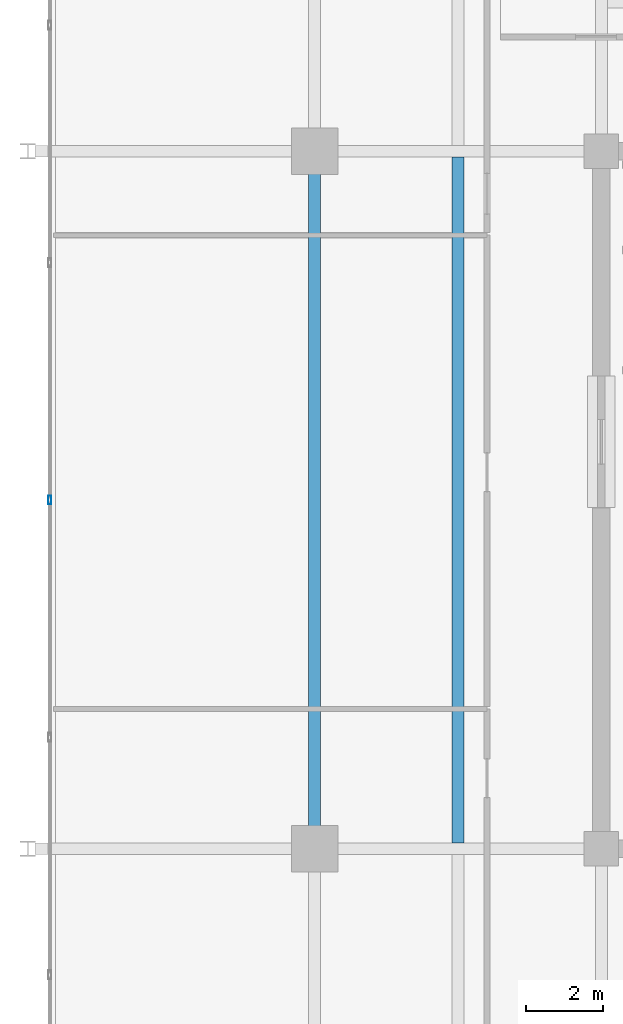
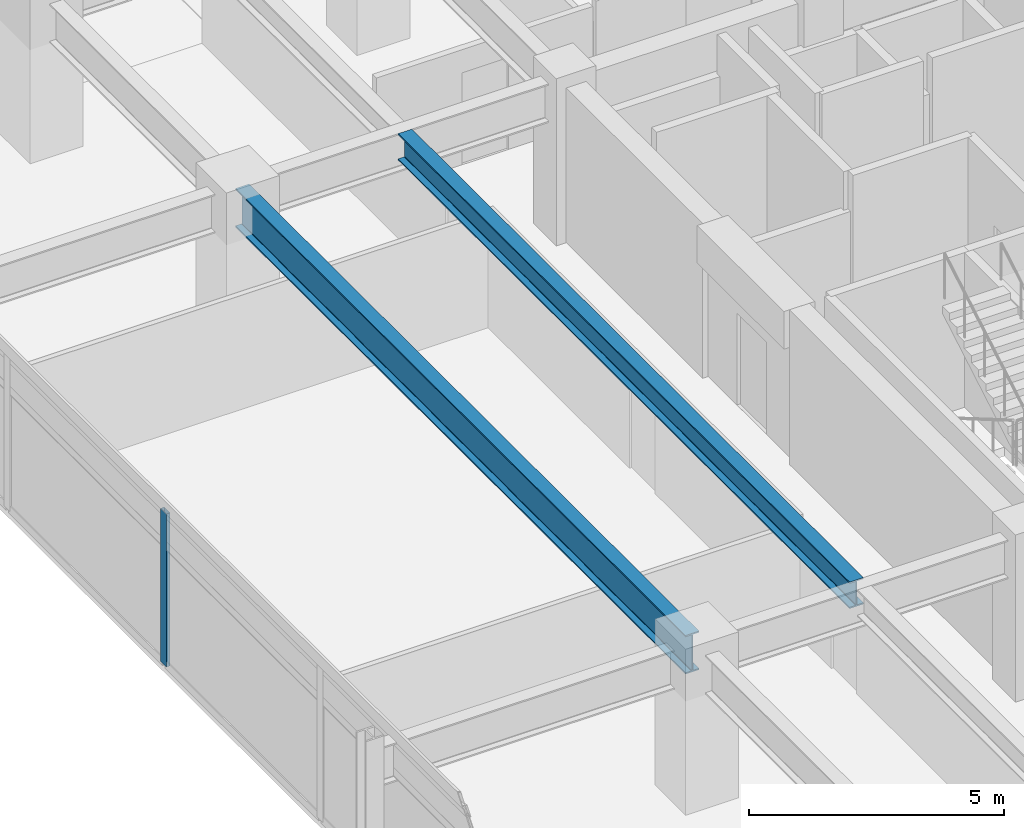
# One storey, part 6 of 20: 2 beams, 1 member, 1 element without a shape of its own.
"""IFC4 building model written with IfcOpenShell, lengths in metres."""

from ifc_helpers import new_model, si_unit, direction, frame, origin, origin_2d, place, context, subcontext, project, spatial, hollow_rectangle, i_section, extrude, material, material_profile, profile_set, type_object, element, aggregate, save


model = new_model("IFC4")

# Units and contexts
model_context = context("Model", 3, precision=1e-05, world=origin(), true_north=direction((0.0, 1.0)))
body_context = subcontext(model_context, "Body", "Model", "MODEL_VIEW")
ifc_project = project(units=[si_unit("LENGTHUNIT", "METRE"), si_unit("AREAUNIT", "SQUARE_METRE"), si_unit("VOLUMEUNIT", "CUBIC_METRE"), si_unit("PLANEANGLEUNIT", "RADIAN"), si_unit("MASSUNIT", "GRAM", prefix="KILO")], contexts=[model_context])

# Site, building, storey
site_placement = place(None, origin())
site = spatial("IfcSite", under=ifc_project, at=site_placement, CompositionType="ELEMENT")
building_placement = place(site_placement, origin())
building = spatial("IfcBuilding", under=site, at=building_placement, Name="Kovane Verandah Tower", CompositionType="ELEMENT")
storey_placement = place(building_placement, frame((0.0, 0.0, 291.199951171875)))
storey = spatial("IfcBuildingStorey", under=building, at=storey_placement, Name="L68", CompositionType="ELEMENT", Elevation=291.199951171875)

# Beams
ifc_material_1 = material(Name="Steel S460", Category="steel")
ifc_material_profile_1 = material_profile(ifc_material_1, i_section(OverallWidth=0.311279296875, OverallDepth=0.6357421875, WebThickness=0.018310546875, FlangeThickness=0.031494140625, FilletRadius=0.0166015625, at=origin_2d()), Name="UB610x305x238")
ifc_profile_set_1 = profile_set([ifc_material_profile_1], Name="Steel S460")
beam_type_1 = type_object("IfcBeamType", Name="BM-UB610x238", PredefinedType="BEAM", material=ifc_profile_set_1)
beam_1_placement = place(storey_placement, frame((25.300048828125, 18.65185546875, 3.382080078125), z_axis=(0.0, 1.0, 0.0), x_axis=(-1.0, 0.0, 0.0)))
element("IfcBeam", 1, at=beam_1_placement, inside=storey, type_object=beam_type_1, Name="L68 Secondary Composite Joist J-W1", PredefinedType="BEAM", context=body_context, shape_type="SweptSolid", body=[
    extrude(i_section(OverallWidth=0.311279296875, OverallDepth=0.6357421875, WebThickness=0.018310546875, FlangeThickness=0.031494140625, FilletRadius=0.0166015625, at=origin_2d()), origin(), (0.0, 0.0, 1.0), 17.6962890625),
])
ifc_material_profile_2 = material_profile(ifc_material_1, i_section(OverallWidth=0.3076171875, OverallDepth=0.926513671875, WebThickness=0.01953125, FlangeThickness=0.031982421875, FilletRadius=0.01904296875, at=origin_2d()), Name="UB914x305x289")
ifc_profile_set_2 = profile_set([ifc_material_profile_2], Name="Steel S460")
beam_type_2 = type_object("IfcBeamType", Name="BM-UB914x289", PredefinedType="BEAM", material=ifc_profile_set_2)
beam_2_placement = place(storey_placement, frame((21.60009765625, 18.679931640625, 3.23681640625), z_axis=(0.0, 1.0, 0.0), x_axis=(-1.0, 0.0, 0.0)))
element("IfcBeam", 2, at=beam_2_placement, inside=storey, type_object=beam_type_2, Name="L68 Primary Tower Girder G-RW2", PredefinedType="BEAM", context=body_context, shape_type="SweptSolid", body=[
    extrude(i_section(OverallWidth=0.3076171875, OverallDepth=0.926513671875, WebThickness=0.01953125, FlangeThickness=0.031982421875, FilletRadius=0.01904296875, at=origin_2d()), origin(), (0.0, 0.0, 1.0), 17.64013671875),
])

# Curtain wall, member
ifc_material_2 = material(Name="Champagne Anodised Aluminium Frame with Low-E Clear Laminated Glass", Category="aluminium")
curtain_wall_type = type_object("IfcCurtainWallType", Name="CW-SYS-05-HIGH", PredefinedType="NOTDEFINED", material=ifc_material_2)
curtain_wall_placement = place(storey_placement, origin())
curtain_wall = element("IfcCurtainWall", 3, at=curtain_wall_placement, inside=storey, type_object=curtain_wall_type, Name="L68 W Unitised Curtain Wall", PredefinedType="NOTDEFINED")
ifc_material_3 = material(Name="Champagne Anodised Aluminium 6063-T6", Category="aluminium")
ifc_material_profile_3 = material_profile(ifc_material_3, hollow_rectangle(XDim=0.0849609375, YDim=0.22998046875, WallThickness=0.00390625, at=origin_2d()), Name="AL85x230x4")
ifc_profile_set_3 = profile_set([ifc_material_profile_3], Name="Champagne Anodised Aluminium 6063-T6")
member_type = type_object("IfcMemberType", Name="CW-MUL-85x230", PredefinedType="MULLION", material=ifc_profile_set_3)
member_placement = place(storey_placement, frame((14.768310546875, 27.5, 0.02001953125), z_axis=(0.0, 0.0, 1.0), x_axis=(-1.0, 0.0, 0.0)))
member = element("IfcMember", 4, at=member_placement, type_object=member_type, Name="L68 W Unitised Curtain Wall Mullion 4", PredefinedType="MULLION", context=body_context, shape_type="SweptSolid", body=[
    extrude(hollow_rectangle(XDim=0.0849609375, YDim=0.22998046875, WallThickness=0.00390625, at=origin_2d()), origin(), (0.0, 0.0, 1.0), 3.659912109375),
])
aggregate(curtain_wall, [member])

save(model, "model.ifc")
